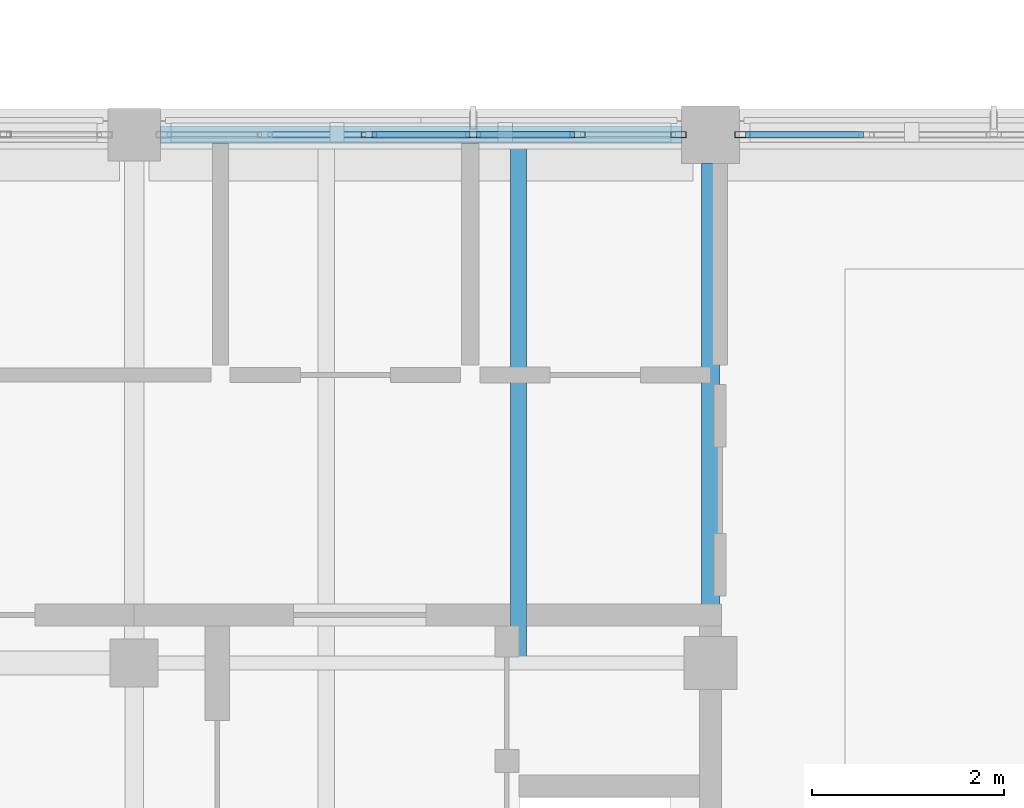
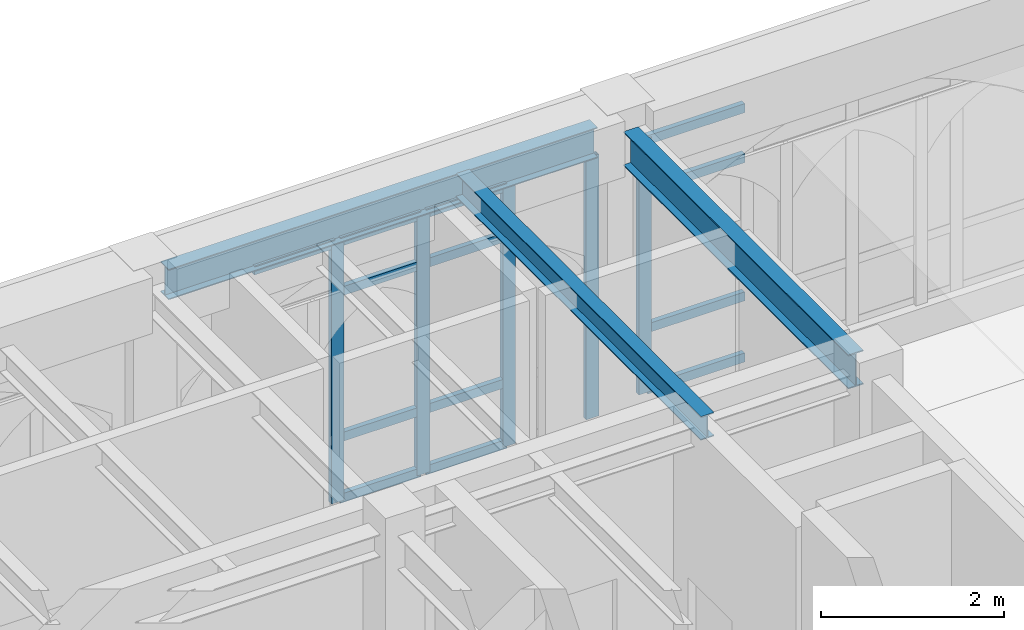
# One storey, part 7 of 127: 18 members, 3 beams, 2 elements without a shape of their own.
"""IFC4 building model written with IfcOpenShell, lengths in metres."""

from ifc_helpers import new_model, si_unit, direction, frame, origin, origin_2d, place, context, subcontext, project, spatial, hollow_rectangle, i_section, extrude, material, layer, layer_set, material_profile, profile_set, type_object, element, aggregate, save


model = new_model("IFC4")

# Units and contexts
model_context = context("Model", 3, precision=1e-05, world=origin(), true_north=direction((0.0, 1.0)))
body_context = subcontext(model_context, "Body", "Model", "MODEL_VIEW")
ifc_project = project(units=[si_unit("LENGTHUNIT", "METRE"), si_unit("AREAUNIT", "SQUARE_METRE"), si_unit("VOLUMEUNIT", "CUBIC_METRE"), si_unit("PLANEANGLEUNIT", "RADIAN"), si_unit("MASSUNIT", "GRAM", prefix="KILO")], contexts=[model_context])

# Site, building, storey
site_placement = place(None, origin())
site = spatial("IfcSite", under=ifc_project, at=site_placement, CompositionType="ELEMENT")
building_placement = place(site_placement, origin())
building = spatial("IfcBuilding", under=site, at=building_placement, Name="Cumevento Cable Car Station", CompositionType="ELEMENT")
storey_placement = place(building_placement, frame((0.0, 0.0, 4.5)))
storey = spatial("IfcBuildingStorey", under=building, at=storey_placement, Name="L02", CompositionType="ELEMENT", Elevation=4.5)

# Curtain wall, members
ifc_material_1 = material(Name="Anodised Bronze Aluminium AW-6063-T6", Category="aluminium")
ifc_layer_1 = layer(ifc_material_1, 0.177978515625)
ifc_layer_set_1 = layer_set([ifc_layer_1], Name="Anodised Bronze Aluminium AW-6063-T6")
curtain_wall_type_1 = type_object("IfcCurtainWallType", Name="Lancet Curtain Wall CW-04 1170", PredefinedType="NOTDEFINED", material=ifc_layer_set_1)
curtain_wall_1_placement = place(storey_placement, origin())
curtain_wall_1 = element("IfcCurtainWall", 1, at=curtain_wall_1_placement, inside=storey, type_object=curtain_wall_type_1, Name="Lancet Curtain Wall CW-04 L02 #19", PredefinedType="NOTDEFINED")
ifc_material_2 = material(Name="Anodised Bronze Aluminium AW-6063-T6", Category="aluminium")
ifc_material_profile_1 = material_profile(ifc_material_2, hollow_rectangle(XDim=0.06494140625, YDim=0.159912109375, WallThickness=0.00390625, at=origin_2d()), Name="ALUM65x160x4")
ifc_profile_set_1 = profile_set([ifc_material_profile_1], Name="Anodised Bronze Aluminium AW-6063-T6")
member_type_1 = type_object("IfcMemberType", Name="Curtain Mullion CWM-01 ALUM65x160x4", PredefinedType="MULLION", material=ifc_profile_set_1)
member_1_placement = place(storey_placement, frame((30.445068359375, 15.0, 0.31005859375), z_axis=(0.0, 0.0, 1.0), x_axis=(0.0, 1.0, 0.0)))
member_1 = element("IfcMember", 2, at=member_1_placement, type_object=member_type_1, Name="CW-04 mullion 3", PredefinedType="MULLION", context=body_context, shape_type="SweptSolid", body=[
    extrude(hollow_rectangle(XDim=0.06494140625, YDim=0.159912109375, WallThickness=0.00390625, at=origin_2d()), origin(), (0.0, 0.0, 1.0), 3.4990234375),
])
member_2_placement = place(storey_placement, frame((31.530029296875, 15.0, 0.31005859375), z_axis=(0.0, 0.0, 1.0), x_axis=(0.0, 1.0, 0.0)))
member_2 = element("IfcMember", 3, at=member_2_placement, type_object=member_type_1, Name="CW-04 mullion 4", PredefinedType="MULLION", context=body_context, shape_type="SweptSolid", body=[
    extrude(hollow_rectangle(XDim=0.06494140625, YDim=0.159912109375, WallThickness=0.00390625, at=origin_2d()), origin(), (0.0, 0.0, 1.0), 3.4990234375),
])
member_3_placement = place(storey_placement, frame((32.614990234375, 15.0, 0.31005859375), z_axis=(0.0, 0.0, 1.0), x_axis=(0.0, 1.0, 0.0)))
member_3 = element("IfcMember", 4, at=member_3_placement, type_object=member_type_1, Name="CW-04 mullion 5", PredefinedType="MULLION", context=body_context, shape_type="SweptSolid", body=[
    extrude(hollow_rectangle(XDim=0.06494140625, YDim=0.159912109375, WallThickness=0.00390625, at=origin_2d()), origin(), (0.0, 0.0, 1.0), 3.4990234375),
])
member_4_placement = place(storey_placement, frame((33.66748046875, 15.0, 0.31005859375), z_axis=(0.0, 0.0, 1.0), x_axis=(0.0, 1.0, 0.0)))
member_4 = element("IfcMember", 5, at=member_4_placement, type_object=member_type_1, Name="CW-04 mullion 6", PredefinedType="MULLION", context=body_context, shape_type="SweptSolid", body=[
    extrude(hollow_rectangle(XDim=0.06494140625, YDim=0.159912109375, WallThickness=0.00390625, at=origin_2d()), origin(), (0.0, 0.0, 1.0), 3.4990234375),
])

# Curtain wall, member
ifc_material_3 = material(Name="Anodised Bronze Aluminium AW-6063-T6", Category="aluminium")
ifc_layer_2 = layer(ifc_material_3, 0.18994140625)
ifc_layer_set_2 = layer_set([ifc_layer_2], Name="Anodised Bronze Aluminium AW-6063-T6")
curtain_wall_type_2 = type_object("IfcCurtainWallType", Name="Lancet Curtain Wall CW-06 1250", PredefinedType="NOTDEFINED", material=ifc_layer_set_2)
curtain_wall_2_placement = place(storey_placement, origin())
curtain_wall_2 = element("IfcCurtainWall", 6, at=curtain_wall_2_placement, inside=storey, type_object=curtain_wall_type_2, Name="Lancet Curtain Wall CW-06 L02 #21", PredefinedType="NOTDEFINED")
member_5_placement = place(storey_placement, frame((34.33251953125, 15.0, 0.409912109375), z_axis=(0.0, 0.0, 1.0), x_axis=(0.0, 1.0, 0.0)))
member_5 = element("IfcMember", 7, at=member_5_placement, type_object=member_type_1, Name="CW-06 mullion 1", PredefinedType="MULLION", context=body_context, shape_type="SweptSolid", body=[
    extrude(hollow_rectangle(XDim=0.06494140625, YDim=0.159912109375, WallThickness=0.00390625, at=origin_2d()), origin(), (0.0, 0.0, 1.0), 3.399169921875),
])

# Member
ifc_material_4 = material(Name="Anodised Bronze Aluminium AW-6063-T6", Category="aluminium")
ifc_material_profile_2 = material_profile(ifc_material_4, hollow_rectangle(XDim=0.06494140625, YDim=0.1201171875, WallThickness=0.00390625, at=origin_2d()), Name="ALUT65x120x4")
ifc_profile_set_2 = profile_set([ifc_material_profile_2], Name="Anodised Bronze Aluminium AW-6063-T6")
member_type_2 = type_object("IfcMemberType", Name="Curtain Transom CWT-01 ALUT65x120x4", PredefinedType="USERDEFINED", material=ifc_profile_set_2)
member_6_placement = place(storey_placement, frame((29.392578125, 15.0, 3.776611328125), z_axis=(1.0, 0.0, 0.0), x_axis=(0.0, 1.0, 0.0)))
member_6 = element("IfcMember", 8, at=member_6_placement, type_object=member_type_2, Name="CW-04 transom 2.4", ObjectType="TRANSOM", PredefinedType="USERDEFINED", context=body_context, shape_type="SweptSolid", body=[
    extrude(hollow_rectangle(XDim=0.06494140625, YDim=0.1201171875, WallThickness=0.00390625, at=origin_2d()), origin(), (0.0, 0.0, 1.0), 1.02001953125),
])

member_7_placement = place(storey_placement, frame((30.4775390625, 15.0, 0.342529296875), z_axis=(1.0, 0.0, 0.0), x_axis=(0.0, 1.0, 0.0)))
member_7 = element("IfcMember", 9, at=member_7_placement, type_object=member_type_2, Name="CW-04 transom 3.1", ObjectType="TRANSOM", PredefinedType="USERDEFINED", context=body_context, shape_type="SweptSolid", body=[
    extrude(hollow_rectangle(XDim=0.06494140625, YDim=0.1201171875, WallThickness=0.00390625, at=origin_2d()), origin(), (0.0, 0.0, 1.0), 1.02001953125),
])

member_8_placement = place(storey_placement, frame((30.4775390625, 15.0, 1.159912109375), z_axis=(1.0, 0.0, 0.0), x_axis=(0.0, 1.0, 0.0)))
member_8 = element("IfcMember", 10, at=member_8_placement, type_object=member_type_2, Name="CW-04 transom 3.2", ObjectType="TRANSOM", PredefinedType="USERDEFINED", context=body_context, shape_type="SweptSolid", body=[
    extrude(hollow_rectangle(XDim=0.06494140625, YDim=0.1201171875, WallThickness=0.00390625, at=origin_2d()), origin(), (0.0, 0.0, 1.0), 1.02001953125),
])

member_9_placement = place(storey_placement, frame((30.4775390625, 15.0, 3.10888671875), z_axis=(1.0, 0.0, 0.0), x_axis=(0.0, 1.0, 0.0)))
member_9 = element("IfcMember", 11, at=member_9_placement, type_object=member_type_2, Name="CW-04 transom 3.3", ObjectType="TRANSOM", PredefinedType="USERDEFINED", context=body_context, shape_type="SweptSolid", body=[
    extrude(hollow_rectangle(XDim=0.06494140625, YDim=0.1201171875, WallThickness=0.00390625, at=origin_2d()), origin(), (0.0, 0.0, 1.0), 1.02001953125),
])

member_10_placement = place(storey_placement, frame((30.4775390625, 15.0, 3.776611328125), z_axis=(1.0, 0.0, 0.0), x_axis=(0.0, 1.0, 0.0)))
member_10 = element("IfcMember", 12, at=member_10_placement, type_object=member_type_2, Name="CW-04 transom 3.4", ObjectType="TRANSOM", PredefinedType="USERDEFINED", context=body_context, shape_type="SweptSolid", body=[
    extrude(hollow_rectangle(XDim=0.06494140625, YDim=0.1201171875, WallThickness=0.00390625, at=origin_2d()), origin(), (0.0, 0.0, 1.0), 1.02001953125),
])

member_11_placement = place(storey_placement, frame((31.5625, 15.0, 0.342529296875), z_axis=(1.0, 0.0, 0.0), x_axis=(0.0, 1.0, 0.0)))
member_11 = element("IfcMember", 13, at=member_11_placement, type_object=member_type_2, Name="CW-04 transom 4.1", ObjectType="TRANSOM", PredefinedType="USERDEFINED", context=body_context, shape_type="SweptSolid", body=[
    extrude(hollow_rectangle(XDim=0.06494140625, YDim=0.1201171875, WallThickness=0.00390625, at=origin_2d()), origin(), (0.0, 0.0, 1.0), 1.02001953125),
])

member_12_placement = place(storey_placement, frame((31.5625, 15.0, 1.159912109375), z_axis=(1.0, 0.0, 0.0), x_axis=(0.0, 1.0, 0.0)))
member_12 = element("IfcMember", 14, at=member_12_placement, type_object=member_type_2, Name="CW-04 transom 4.2", ObjectType="TRANSOM", PredefinedType="USERDEFINED", context=body_context, shape_type="SweptSolid", body=[
    extrude(hollow_rectangle(XDim=0.06494140625, YDim=0.1201171875, WallThickness=0.00390625, at=origin_2d()), origin(), (0.0, 0.0, 1.0), 1.02001953125),
])

member_13_placement = place(storey_placement, frame((31.5625, 15.0, 3.10888671875), z_axis=(1.0, 0.0, 0.0), x_axis=(0.0, 1.0, 0.0)))
member_13 = element("IfcMember", 15, at=member_13_placement, type_object=member_type_2, Name="CW-04 transom 4.3", ObjectType="TRANSOM", PredefinedType="USERDEFINED", context=body_context, shape_type="SweptSolid", body=[
    extrude(hollow_rectangle(XDim=0.06494140625, YDim=0.1201171875, WallThickness=0.00390625, at=origin_2d()), origin(), (0.0, 0.0, 1.0), 1.02001953125),
])

member_14_placement = place(storey_placement, frame((31.5625, 15.0, 3.776611328125), z_axis=(1.0, 0.0, 0.0), x_axis=(0.0, 1.0, 0.0)))
member_14 = element("IfcMember", 16, at=member_14_placement, type_object=member_type_2, Name="CW-04 transom 4.4", ObjectType="TRANSOM", PredefinedType="USERDEFINED", context=body_context, shape_type="SweptSolid", body=[
    extrude(hollow_rectangle(XDim=0.06494140625, YDim=0.1201171875, WallThickness=0.00390625, at=origin_2d()), origin(), (0.0, 0.0, 1.0), 1.02001953125),
])

aggregate(curtain_wall_1, [member_1, member_2, member_3, member_4, member_6, member_7, member_8, member_9, member_10, member_11, member_12, member_13, member_14])

member_15_placement = place(storey_placement, frame((34.364990234375, 15.0, 0.4423828125), z_axis=(1.0, 0.0, 0.0), x_axis=(0.0, 1.0, 0.0)))
member_15 = element("IfcMember", 17, at=member_15_placement, type_object=member_type_2, Name="CW-06 transom 1.1", ObjectType="TRANSOM", PredefinedType="USERDEFINED", context=body_context, shape_type="SweptSolid", body=[
    extrude(hollow_rectangle(XDim=0.06494140625, YDim=0.1201171875, WallThickness=0.00390625, at=origin_2d()), origin(), (0.0, 0.0, 1.0), 1.2275390625),
])

member_16_placement = place(storey_placement, frame((34.364990234375, 15.0, 1.260009765625), z_axis=(1.0, 0.0, 0.0), x_axis=(0.0, 1.0, 0.0)))
member_16 = element("IfcMember", 18, at=member_16_placement, type_object=member_type_2, Name="CW-06 transom 1.2", ObjectType="TRANSOM", PredefinedType="USERDEFINED", context=body_context, shape_type="SweptSolid", body=[
    extrude(hollow_rectangle(XDim=0.06494140625, YDim=0.1201171875, WallThickness=0.00390625, at=origin_2d()), origin(), (0.0, 0.0, 1.0), 1.2275390625),
])

member_17_placement = place(storey_placement, frame((34.364990234375, 15.0, 3.10888671875), z_axis=(1.0, 0.0, 0.0), x_axis=(0.0, 1.0, 0.0)))
member_17 = element("IfcMember", 19, at=member_17_placement, type_object=member_type_2, Name="CW-06 transom 1.3", ObjectType="TRANSOM", PredefinedType="USERDEFINED", context=body_context, shape_type="SweptSolid", body=[
    extrude(hollow_rectangle(XDim=0.06494140625, YDim=0.1201171875, WallThickness=0.00390625, at=origin_2d()), origin(), (0.0, 0.0, 1.0), 1.2275390625),
])

member_18_placement = place(storey_placement, frame((34.364990234375, 15.0, 3.776611328125), z_axis=(1.0, 0.0, 0.0), x_axis=(0.0, 1.0, 0.0)))
member_18 = element("IfcMember", 20, at=member_18_placement, type_object=member_type_2, Name="CW-06 transom 1.4", ObjectType="TRANSOM", PredefinedType="USERDEFINED", context=body_context, shape_type="SweptSolid", body=[
    extrude(hollow_rectangle(XDim=0.06494140625, YDim=0.1201171875, WallThickness=0.00390625, at=origin_2d()), origin(), (0.0, 0.0, 1.0), 1.2275390625),
])

aggregate(curtain_wall_2, [member_5, member_15, member_16, member_17, member_18])

# Beams
ifc_material_5 = material(Name="Steel ASTM A572 Grade 50", Category="steel")
ifc_material_profile_3 = material_profile(ifc_material_5, i_section(OverallWidth=0.18994140625, OverallDepth=0.45703125, WebThickness=0.009033203125, FlangeThickness=0.014404296875, at=origin_2d()), Name="W460x74.0")
ifc_profile_set_3 = profile_set([ifc_material_profile_3], Name="Steel ASTM A572 Grade 50")
beam_type_1 = type_object("IfcBeamType", Name="Structural Beam BM-04 W460x74.0", PredefinedType="BEAM", material=ifc_profile_set_3)
beam_1_placement = place(storey_placement, frame((34.0, 9.77490234375, 3.987548828125), z_axis=(0.0, 1.0, 0.0), x_axis=(-1.0, 0.0, 0.0)))
element("IfcBeam", 21, at=beam_1_placement, inside=storey, type_object=beam_type_1, Name="Beam BM-04 L02 #446", PredefinedType="BEAM", context=body_context, shape_type="SweptSolid", body=[
    extrude(i_section(OverallWidth=0.18994140625, OverallDepth=0.45703125, WebThickness=0.009033203125, FlangeThickness=0.014404296875, at=origin_2d()), origin(), (0.0, 0.0, 1.0), 4.925048828125),
])
ifc_material_6 = material(Name="Steel ASTM A572 Grade 50", Category="steel")
ifc_material_profile_4 = material_profile(ifc_material_6, i_section(OverallWidth=0.1669921875, OverallDepth=0.31689453125, WebThickness=0.007568359375, FlangeThickness=0.01318359375, at=origin_2d()), Name="W310x52.0")
ifc_profile_set_4 = profile_set([ifc_material_profile_4], Name="Steel ASTM A572 Grade 50")
beam_type_2 = type_object("IfcBeamType", Name="Structural Joist JS-02 W310x52.0", PredefinedType="JOIST", material=ifc_profile_set_4)
beam_2_placement = place(storey_placement, frame((32.0, 9.56201171875, 4.0576171875), z_axis=(0.0, 1.0, 0.0), x_axis=(-1.0, 0.0, 0.0)))
element("IfcBeam", 22, at=beam_2_placement, inside=storey, type_object=beam_type_2, Name="Composite Floor Joist JS-02 L02 #733", PredefinedType="JOIST", context=body_context, shape_type="SweptSolid", body=[
    extrude(i_section(OverallWidth=0.1669921875, OverallDepth=0.31689453125, WebThickness=0.007568359375, FlangeThickness=0.01318359375, at=origin_2d()), origin(), (0.0, 0.0, 1.0), 5.361083984375),
])
ifc_material_7 = material(Name="Steel ASTM A572 Grade 50", Category="steel")
ifc_material_profile_5 = material_profile(ifc_material_7, i_section(OverallWidth=0.177978515625, OverallDepth=0.406982421875, WebThickness=0.0078125, FlangeThickness=0.0126953125, at=origin_2d()), Name="W410x60.0")
ifc_profile_set_5 = profile_set([ifc_material_profile_5], Name="Steel ASTM A572 Grade 50")
beam_type_3 = type_object("IfcBeamType", Name="Structural Spandrel SP-01 W410x60.0", PredefinedType="SPANDREL", material=ifc_profile_set_5)
beam_3_placement = place(storey_placement, frame((28.27490234375, 15.0, 4.012451171875), z_axis=(1.0, 0.0, 0.0), x_axis=(0.0, 1.0, 0.0)))
element("IfcBeam", 23, at=beam_3_placement, inside=storey, type_object=beam_type_3, Name="Beam SP-01 L02 #438", PredefinedType="SPANDREL", context=body_context, shape_type="SweptSolid", body=[
    extrude(i_section(OverallWidth=0.177978515625, OverallDepth=0.406982421875, WebThickness=0.0078125, FlangeThickness=0.0126953125, at=origin_2d()), origin(), (0.0, 0.0, 1.0), 5.425048828125),
])

save(model, "model.ifc")
